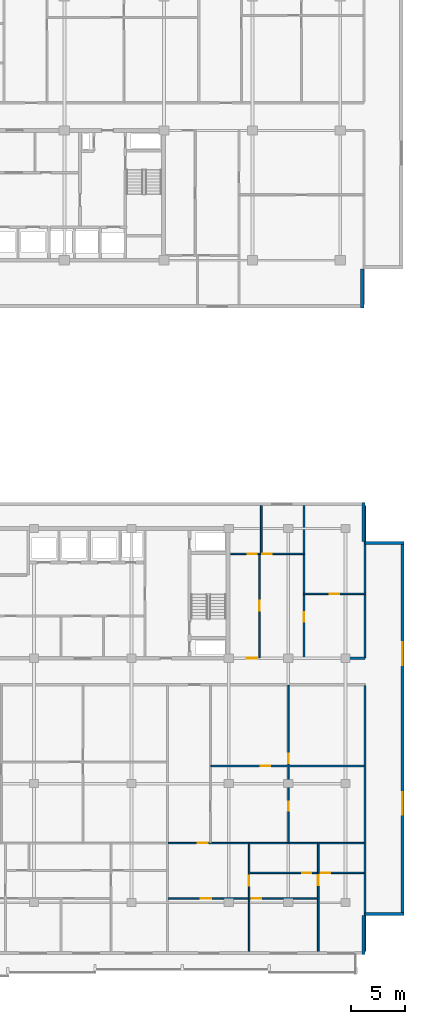
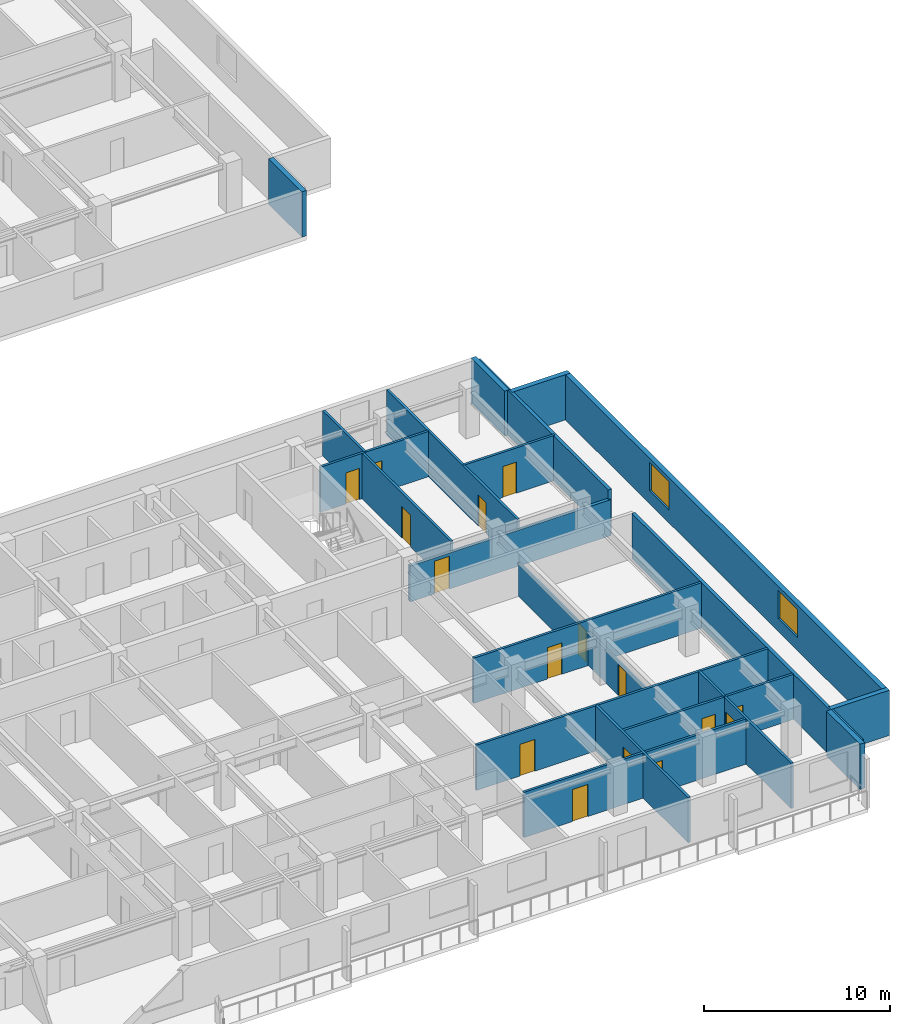
# One storey, part 9 of 21: 22 walls, 16 doors, 2 windows, 18 openings.
"""IFC4 building model written with IfcOpenShell, lengths in metres."""

from ifc_helpers import new_model, si_unit, direction, frame, frame_2d, origin, place, context, subcontext, project, spatial, rectangle, extrude, material, layer, layer_set, type_object, element, fill, save


model = new_model("IFC4")

# Units and contexts
model_context = context("Model", 3, precision=1e-05, world=origin(), true_north=direction((0.0, 1.0)))
body_context = subcontext(model_context, "Body", "Model", "MODEL_VIEW")
ifc_project = project(units=[si_unit("LENGTHUNIT", "METRE"), si_unit("AREAUNIT", "SQUARE_METRE"), si_unit("VOLUMEUNIT", "CUBIC_METRE"), si_unit("PLANEANGLEUNIT", "RADIAN"), si_unit("MASSUNIT", "GRAM", prefix="KILO")], contexts=[model_context])

# Site, building, storey
site_placement = place(None, origin())
site = spatial("IfcSite", under=ifc_project, at=site_placement, CompositionType="ELEMENT")
building_placement = place(site_placement, origin())
building = spatial("IfcBuilding", under=site, at=building_placement, Name="Korimba Cascade Residences", CompositionType="ELEMENT")
storey_placement = place(building_placement, frame((0.0, 0.0, 123.050048828125)))
storey = spatial("IfcBuildingStorey", under=building, at=storey_placement, Name="L35", CompositionType="ELEMENT", Elevation=123.050048828125)

# Walls
ifc_material_1 = material(Name="Precast concrete C40/50", Category="concrete")
ifc_layer_1 = layer(ifc_material_1, 0.300048828125)
ifc_layer_set_1 = layer_set([ifc_layer_1], Name="Precast concrete C40/50")
wall_type_1 = type_object("IfcWallType", Name="EW-STONE-300", PredefinedType="STANDARD", material=ifc_layer_set_1)
wall_1_placement = place(storey_placement, frame((130.449951171875, 50.800048828125, 0.0), z_axis=(0.0, 0.0, 1.0), x_axis=(0.0, 1.0, 0.0)))
element("IfcWall", 1, at=wall_1_placement, inside=storey, type_object=wall_type_1, Name="L35 T1 Perimeter Stone Wall E01", PredefinedType="STANDARD", context=body_context, shape_type="SweptSolid", body=[
    extrude(rectangle(XDim=3.599853515625, YDim=0.300048828125, at=frame_2d((1.7998046875, 0.0))), origin(), (0.0, 0.0, 1.0), 2.969970703125),
])
for number, where, z_axis, x_axis, name in (
    (2, (130.550048828125, -9.0, 0.0), (0.0, 0.0, 1.0), (0.0, 1.0, 0.0), "L35 T2 Perimeter Stone Wall E01"),
    (3, (130.699951171875, -5.25, 0.0), (0.0, 0.0, 1.0), (1.0, 0.0, 0.0), "L35 T2 Perimeter Stone Wall E02"),
):
    element("IfcWall", number, at=place(storey_placement, frame(where, z_axis=z_axis, x_axis=x_axis)), inside=storey, type_object=wall_type_1, Name=name, PredefinedType="STANDARD", context=body_context, shape_type="SweptSolid", body=[
        extrude(rectangle(XDim=3.60009765625, YDim=0.300048828125, at=frame_2d((1.800048828125, 0.0))), origin(), (0.0, 0.0, 1.0), 2.969970703125),
    ])

# Wall, openings, windows
wall_2_placement = place(storey_placement, frame((134.14990234375, -5.39990234375, 0.0), z_axis=(0.0, 0.0, 1.0), x_axis=(0.0, 1.0, 0.0)))
wall_2 = element("IfcWall", 4, at=wall_2_placement, inside=storey, type_object=wall_type_1, Name="L35 T2 Perimeter Stone Wall E03", PredefinedType="STANDARD", context=body_context, shape_type="SweptSolid", body=[
    extrude(rectangle(XDim=34.599853515625, YDim=0.300048828125, at=frame_2d((17.2998046875, 0.0))), origin(), (0.0, 0.0, 1.0), 2.969970703125),
])
opening_1_placement = place(wall_2_placement, frame((9.330078125, 0.0, 0.85009765625)))
opening_1 = element("IfcOpeningElement", 5, at=opening_1_placement, cuts=wall_2, Name="Opening W-03", PredefinedType="OPENING", context=body_context, shape_type="SweptSolid", body=[
    extrude(rectangle(XDim=2.10009765625, YDim=1.85009765625, at=frame_2d((1.050048828125, 0.925048828125))), frame((0.0, 0.16015625, 0.0), z_axis=(0.0, -1.0, 0.0), x_axis=(1.0, 0.0, 0.0)), (0.0, 0.0, 1.0), 0.320068359375),
])
opening_2_placement = place(wall_2_placement, frame((23.169921875, 0.0, 0.85009765625)))
opening_2 = element("IfcOpeningElement", 6, at=opening_2_placement, cuts=wall_2, Name="Opening W-03", PredefinedType="OPENING", context=body_context, shape_type="SweptSolid", body=[
    extrude(rectangle(XDim=2.10009765625, YDim=1.85009765625, at=frame_2d((1.050048828125, 0.925048828125))), frame((0.0, 0.16015625, 0.0), z_axis=(0.0, -1.0, 0.0), x_axis=(1.0, 0.0, 0.0)), (0.0, 0.0, 1.0), 0.320068359375),
])
ifc_material_2 = material(Name="Double-Glazed Aluminium Window", Category="aluminium")
window_type = type_object("IfcWindowType", Name="WIN-CRN-2100", PartitioningType="DOUBLE_PANEL_HORIZONTAL", PredefinedType="WINDOW", material=ifc_material_2)
window_1_placement = place(opening_1_placement, origin())
window_1 = element("IfcWindow", 7, at=window_1_placement, inside=storey, type_object=window_type, Name="L35 T2 End View Window 3.1", OverallHeight=1.85009765625, OverallWidth=2.10009765625, PartitioningType="DOUBLE_PANEL_HORIZONTAL", PredefinedType="WINDOW", context=body_context, shape_type="SweptSolid", body=[
    extrude(rectangle(XDim=2.10009765625, YDim=1.85009765625, at=frame_2d((1.050048828125, 0.925048828125))), frame((0.0, 0.030029296875, 0.0), z_axis=(0.0, -1.0, 0.0), x_axis=(1.0, 0.0, 0.0)), (0.0, 0.0, 1.0), 0.06005859375),
])
fill(opening_1, window_1)
window_2_placement = place(opening_2_placement, origin())
window_2 = element("IfcWindow", 8, at=window_2_placement, inside=storey, type_object=window_type, Name="L35 T2 End View Window 3.2", OverallHeight=1.85009765625, OverallWidth=2.10009765625, PartitioningType="DOUBLE_PANEL_HORIZONTAL", PredefinedType="WINDOW", context=body_context, shape_type="SweptSolid", body=[
    extrude(rectangle(XDim=2.10009765625, YDim=1.85009765625, at=frame_2d((1.050048828125, 0.925048828125))), frame((0.0, 0.030029296875, 0.0), z_axis=(0.0, -1.0, 0.0), x_axis=(1.0, 0.0, 0.0)), (0.0, 0.0, 1.0), 0.06005859375),
])
fill(opening_2, window_2)

# Walls
for number, where, z_axis, x_axis, name in (
    (9, (134.300048828125, 29.050048828125, 0.0), (0.0, 0.0, 1.0), (-1.0, 0.0, 0.0), "L35 T2 Perimeter Stone Wall E04"),
    (10, (130.550048828125, 29.199951171875, 0.0), (0.0, 0.0, 1.0), (0.0, 1.0, 0.0), "L35 T2 Perimeter Stone Wall E05"),
):
    element("IfcWall", number, at=place(storey_placement, frame(where, z_axis=z_axis, x_axis=x_axis)), inside=storey, type_object=wall_type_1, Name=name, PredefinedType="STANDARD", context=body_context, shape_type="SweptSolid", body=[
        extrude(rectangle(XDim=3.60009765625, YDim=0.300048828125, at=frame_2d((1.800048828125, 0.0))), origin(), (0.0, 0.0, 1.0), 2.969970703125),
    ])
ifc_layer_2 = layer(ifc_material_1, 0.199951171875)
ifc_layer_set_2 = layer_set([ifc_layer_2], Name="Precast concrete C40/50")
wall_type_2 = type_object("IfcWallType", Name="WAL-IT-200", PredefinedType="PARTITIONING", material=ifc_layer_set_2)
wall_3_placement = place(storey_placement, frame((130.699951171875, 18.39990234375, 0.0), z_axis=(0.0, 0.0, 1.0), x_axis=(0.0, 1.0, 0.0)))
element("IfcWall", 11, at=wall_3_placement, inside=storey, type_object=wall_type_2, Name="L35 Partition Wall WAL-L35-T2-FE-WR", PredefinedType="PARTITIONING", context=body_context, shape_type="SweptSolid", body=[
    extrude(rectangle(XDim=14.10009765625, YDim=0.199951171875, at=frame_2d((7.050048828125, 0.0))), origin(), (0.0, 0.0, 1.0), 2.969970703125),
])

# Wall, opening, door
wall_4_placement = place(storey_placement, frame((118.25, 18.39990234375, 0.0), z_axis=(0.0, 0.0, 1.0), x_axis=(1.0, 0.0, 0.0)))
wall_4 = element("IfcWall", 12, at=wall_4_placement, inside=storey, type_object=wall_type_2, Name="L35 Partition Wall WAL-L35-T2-FE-S", PredefinedType="PARTITIONING", context=body_context, shape_type="SweptSolid", body=[
    extrude(rectangle(XDim=12.449951171875, YDim=0.199951171875, at=frame_2d((6.22509765625, 0.0))), origin(), (0.0, 0.0, 1.0), 2.357666015625),
])
opening_3_placement = place(wall_4_placement, frame((1.510009765625, 0.0, 0.0)))
opening_3 = element("IfcOpeningElement", 13, at=opening_3_placement, cuts=wall_4, Name="Opening D-UN1", PredefinedType="OPENING", context=body_context, shape_type="SweptSolid", body=[
    extrude(rectangle(XDim=0.949951171875, YDim=2.14990234375, at=frame_2d((0.47509765625, 1.074951171875))), frame((0.0, 0.10986328125, 0.0), z_axis=(0.0, -1.0, 0.0), x_axis=(1.0, 0.0, 0.0)), (0.0, 0.0, 1.0), 0.219970703125),
])
ifc_material_3 = material(Name="Fire-Rated Hardwood Apartment Entrance Door", Category="wood")
door_type_1 = type_object("IfcDoorType", Name="DR-FD60-950", OperationType="NOTDEFINED", PredefinedType="DOOR", material=ifc_material_3)
door_1_placement = place(opening_3_placement, origin())
door_1 = element("IfcDoor", 14, at=door_1_placement, inside=storey, type_object=door_type_1, Name="L35-T2-FE Entrance Door", OperationType="SINGLE_SWING_RIGHT", OverallHeight=2.14990234375, OverallWidth=0.949951171875, PredefinedType="DOOR", context=body_context, shape_type="SweptSolid", body=[
    extrude(rectangle(XDim=0.949951171875, YDim=2.14990234375, at=frame_2d((0.47509765625, 1.074951171875))), frame((0.0, 0.02490234375, 0.0), z_axis=(0.0, -1.0, 0.0), x_axis=(1.0, 0.0, 0.0)), (0.0, 0.0, 1.0), 0.050048828125),
])
fill(opening_3, door_1)

# Wall
wall_5_placement = place(storey_placement, frame((130.699951171875, -8.699951171875, 0.0), z_axis=(0.0, 0.0, 1.0), x_axis=(0.0, 1.0, 0.0)))
element("IfcWall", 15, at=wall_5_placement, inside=storey, type_object=wall_type_2, Name="L35 Partition Wall WAL-L35-T2-BNDWR", PredefinedType="PARTITIONING", context=body_context, shape_type="SweptSolid", body=[
    extrude(rectangle(XDim=24.570068359375, YDim=0.199951171875, at=frame_2d((12.28515625, 0.0))), origin(), (0.0, 0.0, 1.0), 2.969970703125),
])

# Wall, opening, door
ifc_material_4 = material(Name="Insulated Acoustic Stud Partition", Category="gypsum")
ifc_layer_3 = layer(ifc_material_4, 0.14990234375)
ifc_layer_set_3 = layer_set([ifc_layer_3], Name="Insulated Acoustic Stud Partition")
wall_type_3 = type_object("IfcWallType", Name="WAL-PART-150", PredefinedType="PARTITIONING", material=ifc_layer_set_3)
wall_6_placement = place(storey_placement, frame((125.050048828125, 24.35009765625, 0.0), z_axis=(0.0, 0.0, 1.0), x_axis=(1.0, 0.0, 0.0)))
wall_6 = element("IfcWall", 16, at=wall_6_placement, inside=storey, type_object=wall_type_3, Name="L35 Partition Wall WAL-L35-T2-FE-STH", PredefinedType="PARTITIONING", context=body_context, shape_type="SweptSolid", body=[
    extrude(rectangle(XDim=5.64990234375, YDim=0.14990234375, at=frame_2d((2.824951171875, 0.0))), origin(), (0.0, 0.0, 1.0), 2.969970703125),
])
opening_4_placement = place(wall_6_placement, frame((2.405029296875, 0.0, 0.0)))
opening_4 = element("IfcOpeningElement", 17, at=opening_4_placement, cuts=wall_6, Name="Opening D-BT1", PredefinedType="OPENING", context=body_context, shape_type="SweptSolid", body=[
    extrude(rectangle(XDim=0.840087890625, YDim=2.0400390625, at=frame_2d((0.419921875, 1.02001953125))), frame((0.0, 0.0849609375, 0.0), z_axis=(0.0, -1.0, 0.0), x_axis=(1.0, 0.0, 0.0)), (0.0, 0.0, 1.0), 0.169921875),
])
ifc_material_5 = material(Name="Moisture-Resistant Bathroom Timber Door", Category="wood")
door_type_2 = type_object("IfcDoorType", Name="DR-INT-850", OperationType="NOTDEFINED", PredefinedType="DOOR", material=ifc_material_5)
door_2_placement = place(opening_4_placement, origin())
door_2 = element("IfcDoor", 18, at=door_2_placement, inside=storey, type_object=door_type_2, Name="L35-T2-FE Dressing Store Door", OperationType="SINGLE_SWING_LEFT", OverallHeight=2.0400390625, OverallWidth=0.840087890625, PredefinedType="DOOR", context=body_context, shape_type="SweptSolid", body=[
    extrude(rectangle(XDim=0.840087890625, YDim=2.0400390625, at=frame_2d((0.419921875, 1.02001953125))), frame((0.0, 0.02490234375, 0.0), z_axis=(0.0, -1.0, 0.0), x_axis=(1.0, 0.0, 0.0)), (0.0, 0.0, 1.0), 0.050048828125),
])
fill(opening_4, door_2)

wall_7_placement = place(storey_placement, frame((125.050048828125, 18.449951171875, 0.0), z_axis=(0.0, 0.0, 1.0), x_axis=(0.0, 1.0, 0.0)))
wall_7 = element("IfcWall", 19, at=wall_7_placement, inside=storey, type_object=wall_type_3, Name="L35 Partition Wall WAL-L35-T2-FE-STV", PredefinedType="PARTITIONING", context=body_context, shape_type="SweptSolid", body=[
    extrude(rectangle(XDim=14.050048828125, YDim=0.14990234375, at=frame_2d((7.02490234375, 0.0))), origin(), (0.0, 0.0, 1.0), 2.969970703125),
])
opening_5_placement = place(wall_7_placement, frame((3.320068359375, 0.0, 0.0)))
opening_5 = element("IfcOpeningElement", 20, at=opening_5_placement, cuts=wall_7, Name="Opening D-IN2", PredefinedType="OPENING", context=body_context, shape_type="SweptSolid", body=[
    extrude(rectangle(XDim=0.8798828125, YDim=2.06005859375, at=frame_2d((0.43994140625, 1.030029296875))), frame((0.0, 0.0849609375, 0.0), z_axis=(0.0, -1.0, 0.0), x_axis=(1.0, 0.0, 0.0)), (0.0, 0.0, 1.0), 0.169921875),
])
ifc_material_6 = material(Name="Acoustic Timber Bedroom Door", Category="wood")
door_type_3 = type_object("IfcDoorType", Name="DR-INT-880", OperationType="NOTDEFINED", PredefinedType="DOOR", material=ifc_material_6)
door_3_placement = place(opening_5_placement, origin())
door_3 = element("IfcDoor", 21, at=door_3_placement, inside=storey, type_object=door_type_3, Name="L35-T2-FE Study Door", OperationType="SINGLE_SWING_RIGHT", OverallHeight=2.06005859375, OverallWidth=0.8798828125, PredefinedType="DOOR", context=body_context, shape_type="SweptSolid", body=[
    extrude(rectangle(XDim=0.8798828125, YDim=2.06005859375, at=frame_2d((0.43994140625, 1.030029296875))), frame((0.0, 0.02490234375, 0.0), z_axis=(0.0, -1.0, 0.0), x_axis=(1.0, 0.0, 0.0)), (0.0, 0.0, 1.0), 0.050048828125),
])
fill(opening_5, door_3)

wall_8_placement = place(storey_placement, frame((120.929931640625, 18.449951171875, 0.0), z_axis=(0.0, 0.0, 1.0), x_axis=(0.0, 1.0, 0.0)))
wall_8 = element("IfcWall", 22, at=wall_8_placement, inside=storey, type_object=wall_type_3, Name="L35 Partition Wall WAL-L35-T2-FE-VS", PredefinedType="PARTITIONING", context=body_context, shape_type="SweptSolid", body=[
    extrude(rectangle(XDim=9.60009765625, YDim=0.14990234375, at=frame_2d((4.800048828125, 0.0))), origin(), (0.0, 0.0, 1.0), 2.969970703125),
])
opening_6_placement = place(wall_8_placement, frame((4.340087890625, 0.0, 0.0)))
opening_6 = element("IfcOpeningElement", 23, at=opening_6_placement, cuts=wall_8, Name="Opening D-IN1", PredefinedType="OPENING", context=body_context, shape_type="SweptSolid", body=[
    extrude(rectangle(XDim=0.919921875, YDim=2.080078125, at=frame_2d((0.4599609375, 1.0400390625))), frame((0.0, 0.0849609375, 0.0), z_axis=(0.0, -1.0, 0.0), x_axis=(1.0, 0.0, 0.0)), (0.0, 0.0, 1.0), 0.169921875),
])
ifc_material_7 = material(Name="Acoustic Timber Living Door", Category="wood")
door_type_4 = type_object("IfcDoorType", Name="DR-INT-920", OperationType="NOTDEFINED", PredefinedType="DOOR", material=ifc_material_7)
door_4_placement = place(opening_6_placement, origin())
door_4 = element("IfcDoor", 24, at=door_4_placement, inside=storey, type_object=door_type_4, Name="L35-T2-FE Living Door", OperationType="SINGLE_SWING_LEFT", OverallHeight=2.080078125, OverallWidth=0.919921875, PredefinedType="DOOR", context=body_context, shape_type="SweptSolid", body=[
    extrude(rectangle(XDim=0.919921875, YDim=2.080078125, at=frame_2d((0.4599609375, 1.0400390625))), frame((0.0, 0.02490234375, 0.0), z_axis=(0.0, -1.0, 0.0), x_axis=(1.0, 0.0, 0.0)), (0.0, 0.0, 1.0), 0.050048828125),
])
fill(opening_6, door_4)

# Wall
wall_9_placement = place(storey_placement, frame((121.10009765625, 28.050048828125, 0.0), z_axis=(0.0, 0.0, 1.0), x_axis=(0.0, 1.0, 0.0)))
element("IfcWall", 25, at=wall_9_placement, inside=storey, type_object=wall_type_3, Name="L35 Partition Wall WAL-L35-T2-FE-VN", PredefinedType="PARTITIONING", context=body_context, shape_type="SweptSolid", body=[
    extrude(rectangle(XDim=4.449951171875, YDim=0.14990234375, at=frame_2d((2.22509765625, 0.0))), origin(), (0.0, 0.0, 1.0), 2.969970703125),
])

# Wall, openings, doors
wall_10_placement = place(storey_placement, frame((118.27001953125, 28.050048828125, 0.0), z_axis=(0.0, 0.0, 1.0), x_axis=(1.0, 0.0, 0.0)))
wall_10 = element("IfcWall", 26, at=wall_10_placement, inside=storey, type_object=wall_type_3, Name="L35 Partition Wall WAL-L35-T2-FE-H", PredefinedType="PARTITIONING", context=body_context, shape_type="SweptSolid", body=[
    extrude(rectangle(XDim=6.760009765625, YDim=0.14990234375, at=frame_2d((3.3798828125, 0.0))), origin(), (0.0, 0.0, 1.0), 2.969970703125),
])
opening_7_placement = place(wall_10_placement, frame((1.58740234375, 0.0, 0.0)))
opening_7 = element("IfcOpeningElement", 27, at=opening_7_placement, cuts=wall_10, Name="Opening D-BT1", PredefinedType="OPENING", context=body_context, shape_type="SweptSolid", body=[
    extrude(rectangle(XDim=0.840087890625, YDim=2.0400390625, at=frame_2d((0.419921875, 1.02001953125))), frame((0.0, 0.0849609375, 0.0), z_axis=(0.0, -1.0, 0.0), x_axis=(1.0, 0.0, 0.0)), (0.0, 0.0, 1.0), 0.169921875),
])
opening_8_placement = place(wall_10_placement, frame((2.93994140625, 0.0, 0.0)))
opening_8 = element("IfcOpeningElement", 28, at=opening_8_placement, cuts=wall_10, Name="Opening D-IN2", PredefinedType="OPENING", context=body_context, shape_type="SweptSolid", body=[
    extrude(rectangle(XDim=0.8798828125, YDim=2.06005859375, at=frame_2d((0.43994140625, 1.030029296875))), frame((0.0, 0.0849609375, 0.0), z_axis=(0.0, -1.0, 0.0), x_axis=(1.0, 0.0, 0.0)), (0.0, 0.0, 1.0), 0.169921875),
])
door_5_placement = place(opening_7_placement, origin())
door_5 = element("IfcDoor", 29, at=door_5_placement, inside=storey, type_object=door_type_2, Name="L35-T2-FE Bathroom Door", OperationType="SINGLE_SWING_RIGHT", OverallHeight=2.0400390625, OverallWidth=0.840087890625, PredefinedType="DOOR", context=body_context, shape_type="SweptSolid", body=[
    extrude(rectangle(XDim=0.840087890625, YDim=2.0400390625, at=frame_2d((0.419921875, 1.02001953125))), frame((0.0, 0.02490234375, 0.0), z_axis=(0.0, -1.0, 0.0), x_axis=(1.0, 0.0, 0.0)), (0.0, 0.0, 1.0), 0.050048828125),
])
fill(opening_7, door_5)
door_6_placement = place(opening_8_placement, origin())
door_6 = element("IfcDoor", 30, at=door_6_placement, inside=storey, type_object=door_type_3, Name="L35-T2-FE Bedroom Door", OperationType="SINGLE_SWING_LEFT", OverallHeight=2.06005859375, OverallWidth=0.8798828125, PredefinedType="DOOR", context=body_context, shape_type="SweptSolid", body=[
    extrude(rectangle(XDim=0.8798828125, YDim=2.06005859375, at=frame_2d((0.43994140625, 1.030029296875))), frame((0.0, 0.02490234375, 0.0), z_axis=(0.0, -1.0, 0.0), x_axis=(1.0, 0.0, 0.0)), (0.0, 0.0, 1.0), 0.050048828125),
])
fill(opening_8, door_6)

wall_11_placement = place(storey_placement, frame((123.636474609375, 1.340087890625, 0.0), z_axis=(0.0, 0.0, 1.0), x_axis=(0.0, 1.0, 0.0)))
wall_11 = element("IfcWall", 31, at=wall_11_placement, inside=storey, type_object=wall_type_3, Name="L35 Partition Wall WAL-L35-T2-U03-FMV", PredefinedType="PARTITIONING", context=body_context, shape_type="SweptSolid", body=[
    extrude(rectangle(XDim=14.5498046875, YDim=0.14990234375, at=frame_2d((7.27490234375, 0.0))), origin(), (0.0, 0.0, 1.0), 2.2001953125),
])
opening_9_placement = place(wall_11_placement, frame((2.951416015625, 0.0, 0.0)))
opening_9 = element("IfcOpeningElement", 32, at=opening_9_placement, cuts=wall_11, Name="Opening D-BT1", PredefinedType="OPENING", context=body_context, shape_type="SweptSolid", body=[
    extrude(rectangle(XDim=0.840087890625, YDim=2.0400390625, at=frame_2d((0.419921875, 1.02001953125))), frame((0.0, 0.0849609375, 0.0), z_axis=(0.0, -1.0, 0.0), x_axis=(1.0, 0.0, 0.0)), (0.0, 0.0, 1.0), 0.169921875),
])
opening_10_placement = place(wall_11_placement, frame((7.344970703125, 0.0, 0.0)))
opening_10 = element("IfcOpeningElement", 33, at=opening_10_placement, cuts=wall_11, Name="Opening D-IN2", PredefinedType="OPENING", context=body_context, shape_type="SweptSolid", body=[
    extrude(rectangle(XDim=0.8798828125, YDim=2.06005859375, at=frame_2d((0.43994140625, 1.030029296875))), frame((0.0, 0.0849609375, 0.0), z_axis=(0.0, -1.0, 0.0), x_axis=(1.0, 0.0, 0.0)), (0.0, 0.0, 1.0), 0.169921875),
])
door_7_placement = place(opening_9_placement, origin())
door_7 = element("IfcDoor", 34, at=door_7_placement, inside=storey, type_object=door_type_2, Name="L35-T2-U03 Wardrobe Door", OperationType="SINGLE_SWING_RIGHT", OverallHeight=2.0400390625, OverallWidth=0.840087890625, PredefinedType="DOOR", context=body_context, shape_type="SweptSolid", body=[
    extrude(rectangle(XDim=0.840087890625, YDim=2.0400390625, at=frame_2d((0.419921875, 1.02001953125))), frame((0.0, 0.02490234375, 0.0), z_axis=(0.0, -1.0, 0.0), x_axis=(1.0, 0.0, 0.0)), (0.0, 0.0, 1.0), 0.050048828125),
])
fill(opening_9, door_7)
door_8_placement = place(opening_10_placement, origin())
door_8 = element("IfcDoor", 35, at=door_8_placement, inside=storey, type_object=door_type_3, Name="L35-T2-U03 Music Lounge Door", OperationType="SINGLE_SWING_LEFT", OverallHeight=2.06005859375, OverallWidth=0.8798828125, PredefinedType="DOOR", context=body_context, shape_type="SweptSolid", body=[
    extrude(rectangle(XDim=0.8798828125, YDim=2.06005859375, at=frame_2d((0.43994140625, 1.030029296875))), frame((0.0, 0.02490234375, 0.0), z_axis=(0.0, -1.0, 0.0), x_axis=(1.0, 0.0, 0.0)), (0.0, 0.0, 1.0), 0.050048828125),
])
fill(opening_10, door_8)

# Wall, opening, door
wall_12_placement = place(storey_placement, frame((116.45263671875, 8.43505859375, 0.0), z_axis=(0.0, 0.0, 1.0), x_axis=(1.0, 0.0, 0.0)))
wall_12 = element("IfcWall", 36, at=wall_12_placement, inside=storey, type_object=wall_type_3, Name="L35 Partition Wall WAL-L35-T2-U03-FMH", PredefinedType="PARTITIONING", context=body_context, shape_type="SweptSolid", body=[
    extrude(rectangle(XDim=14.16748046875, YDim=0.14990234375, at=frame_2d((7.083740234375, 0.0))), origin(), (0.0, 0.0, 1.0), 2.969970703125),
])
opening_11_placement = place(wall_12_placement, frame((4.593017578125, 0.0, 0.0)))
opening_11 = element("IfcOpeningElement", 37, at=opening_11_placement, cuts=wall_12, Name="Opening D-IN2", PredefinedType="OPENING", context=body_context, shape_type="SweptSolid", body=[
    extrude(rectangle(XDim=0.8798828125, YDim=2.06005859375, at=frame_2d((0.43994140625, 1.030029296875))), frame((0.0, 0.0849609375, 0.0), z_axis=(0.0, -1.0, 0.0), x_axis=(1.0, 0.0, 0.0)), (0.0, 0.0, 1.0), 0.169921875),
])
door_9_placement = place(opening_11_placement, origin())
door_9 = element("IfcDoor", 38, at=door_9_placement, inside=storey, type_object=door_type_3, Name="L35-T2-U03 Library Salon Door", OperationType="SINGLE_SWING_RIGHT", OverallHeight=2.06005859375, OverallWidth=0.8798828125, PredefinedType="DOOR", context=body_context, shape_type="SweptSolid", body=[
    extrude(rectangle(XDim=0.8798828125, YDim=2.06005859375, at=frame_2d((0.43994140625, 1.030029296875))), frame((0.0, 0.02490234375, 0.0), z_axis=(0.0, -1.0, 0.0), x_axis=(1.0, 0.0, 0.0)), (0.0, 0.0, 1.0), 0.050048828125),
])
fill(opening_11, door_9)

wall_13_placement = place(storey_placement, frame((119.97998046875, -8.699951171875, 0.0), z_axis=(0.0, 0.0, 1.0), x_axis=(0.0, 1.0, 0.0)))
wall_13 = element("IfcWall", 39, at=wall_13_placement, inside=storey, type_object=wall_type_3, Name="L35 Partition Wall WAL-L35-T2-U03-V1", PredefinedType="PARTITIONING", context=body_context, shape_type="SweptSolid", body=[
    extrude(rectangle(XDim=9.9599609375, YDim=0.14990234375, at=frame_2d((4.97998046875, 0.0))), origin(), (0.0, 0.0, 1.0), 2.969970703125),
])
opening_12_placement = place(wall_13_placement, frame((6.050048828125, 0.0, 0.0)))
opening_12 = element("IfcOpeningElement", 40, at=opening_12_placement, cuts=wall_13, Name="Opening D-IN1", PredefinedType="OPENING", context=body_context, shape_type="SweptSolid", body=[
    extrude(rectangle(XDim=0.919921875, YDim=2.080078125, at=frame_2d((0.4599609375, 1.0400390625))), frame((0.0, 0.0849609375, 0.0), z_axis=(0.0, -1.0, 0.0), x_axis=(1.0, 0.0, 0.0)), (0.0, 0.0, 1.0), 0.169921875),
])
door_10_placement = place(opening_12_placement, origin())
door_10 = element("IfcDoor", 41, at=door_10_placement, inside=storey, type_object=door_type_4, Name="L35-T2-U03 Hallway Door", OperationType="SINGLE_SWING_RIGHT", OverallHeight=2.080078125, OverallWidth=0.919921875, PredefinedType="DOOR", context=body_context, shape_type="SweptSolid", body=[
    extrude(rectangle(XDim=0.919921875, YDim=2.080078125, at=frame_2d((0.4599609375, 1.0400390625))), frame((0.0, 0.02490234375, 0.0), z_axis=(0.0, -1.0, 0.0), x_axis=(1.0, 0.0, 0.0)), (0.0, 0.0, 1.0), 0.050048828125),
])
fill(opening_12, door_10)

# Wall
wall_14_placement = place(storey_placement, frame((126.3701171875, -1.429931640625, 0.0), z_axis=(0.0, 0.0, 1.0), x_axis=(0.0, 1.0, 0.0)))
element("IfcWall", 42, at=wall_14_placement, inside=storey, type_object=wall_type_3, Name="L35 Partition Wall WAL-L35-T2-U03-VBATH", PredefinedType="PARTITIONING", context=body_context, shape_type="SweptSolid", body=[
    extrude(rectangle(XDim=2.68994140625, YDim=0.14990234375, at=frame_2d((1.344970703125, 0.0))), origin(), (0.0, 0.0, 1.0), 2.969970703125),
])

# Wall, opening, door
wall_15_placement = place(storey_placement, frame((126.3701171875, -8.699951171875, 0.0), z_axis=(0.0, 0.0, 1.0), x_axis=(0.0, 1.0, 0.0)))
wall_15 = element("IfcWall", 43, at=wall_15_placement, inside=storey, type_object=wall_type_3, Name="L35 Partition Wall WAL-L35-T2-U03-V2FULL", PredefinedType="PARTITIONING", context=body_context, shape_type="SweptSolid", body=[
    extrude(rectangle(XDim=7.22998046875, YDim=0.14990234375, at=frame_2d((3.614990234375, 0.0))), origin(), (0.0, 0.0, 1.0), 2.969970703125),
])
opening_13_placement = place(wall_15_placement, frame((6.110107421875, 0.0, 0.0)))
opening_13 = element("IfcOpeningElement", 44, at=opening_13_placement, cuts=wall_15, Name="Opening D-IN1", PredefinedType="OPENING", context=body_context, shape_type="SweptSolid", body=[
    extrude(rectangle(XDim=0.919921875, YDim=2.080078125, at=frame_2d((0.4599609375, 1.0400390625))), frame((0.0, 0.0849609375, 0.0), z_axis=(0.0, -1.0, 0.0), x_axis=(1.0, 0.0, 0.0)), (0.0, 0.0, 1.0), 0.169921875),
])
door_11_placement = place(opening_13_placement, origin())
door_11 = element("IfcDoor", 45, at=door_11_placement, inside=storey, type_object=door_type_4, Name="L35-T2-U03 Master Bedroom Door", OperationType="SINGLE_SWING_LEFT", OverallHeight=2.080078125, OverallWidth=0.919921875, PredefinedType="DOOR", context=body_context, shape_type="SweptSolid", body=[
    extrude(rectangle(XDim=0.919921875, YDim=2.080078125, at=frame_2d((0.4599609375, 1.0400390625))), frame((0.0, 0.02490234375, 0.0), z_axis=(0.0, -1.0, 0.0), x_axis=(1.0, 0.0, 0.0)), (0.0, 0.0, 1.0), 0.050048828125),
])
fill(opening_13, door_11)

# Wall, openings, doors
wall_16_placement = place(storey_placement, frame((120.02001953125, -1.449951171875, 0.0), z_axis=(0.0, 0.0, 1.0), x_axis=(1.0, 0.0, 0.0)))
wall_16 = element("IfcWall", 46, at=wall_16_placement, inside=storey, type_object=wall_type_3, Name="L35 Partition Wall WAL-L35-T2-U03-HWALL", PredefinedType="PARTITIONING", context=body_context, shape_type="SweptSolid", body=[
    extrude(rectangle(XDim=10.60009765625, YDim=0.14990234375, at=frame_2d((5.300048828125, 0.0))), origin(), (0.0, 0.0, 1.0), 2.969970703125),
])
opening_14_placement = place(wall_16_placement, frame((4.8798828125, 0.0, 0.0)))
opening_14 = element("IfcOpeningElement", 47, at=opening_14_placement, cuts=wall_16, Name="Opening D-BT1", PredefinedType="OPENING", context=body_context, shape_type="SweptSolid", body=[
    extrude(rectangle(XDim=0.840087890625, YDim=2.0400390625, at=frame_2d((0.419921875, 1.02001953125))), frame((0.0, 0.0849609375, 0.0), z_axis=(0.0, -1.0, 0.0), x_axis=(1.0, 0.0, 0.0)), (0.0, 0.0, 1.0), 0.169921875),
])
opening_15_placement = place(wall_16_placement, frame((6.60009765625, 0.0, 0.0)))
opening_15 = element("IfcOpeningElement", 48, at=opening_15_placement, cuts=wall_16, Name="Opening D-BT1", PredefinedType="OPENING", context=body_context, shape_type="SweptSolid", body=[
    extrude(rectangle(XDim=0.840087890625, YDim=2.0400390625, at=frame_2d((0.419921875, 1.02001953125))), frame((0.0, 0.0849609375, 0.0), z_axis=(0.0, -1.0, 0.0), x_axis=(1.0, 0.0, 0.0)), (0.0, 0.0, 1.0), 0.169921875),
])
door_12_placement = place(opening_14_placement, origin())
door_12 = element("IfcDoor", 49, at=door_12_placement, inside=storey, type_object=door_type_2, Name="L35-T2-U03 Family Bathroom Door", OperationType="SINGLE_SWING_RIGHT", OverallHeight=2.0400390625, OverallWidth=0.840087890625, PredefinedType="DOOR", context=body_context, shape_type="SweptSolid", body=[
    extrude(rectangle(XDim=0.840087890625, YDim=2.0400390625, at=frame_2d((0.419921875, 1.02001953125))), frame((0.0, 0.02490234375, 0.0), z_axis=(0.0, -1.0, 0.0), x_axis=(1.0, 0.0, 0.0)), (0.0, 0.0, 1.0), 0.050048828125),
])
fill(opening_14, door_12)
door_13_placement = place(opening_15_placement, origin())
door_13 = element("IfcDoor", 50, at=door_13_placement, inside=storey, type_object=door_type_2, Name="L35-T2-U03 En-Suite Door", OperationType="SINGLE_SWING_LEFT", OverallHeight=2.0400390625, OverallWidth=0.840087890625, PredefinedType="DOOR", context=body_context, shape_type="SweptSolid", body=[
    extrude(rectangle(XDim=0.840087890625, YDim=2.0400390625, at=frame_2d((0.419921875, 1.02001953125))), frame((0.0, 0.02490234375, 0.0), z_axis=(0.0, -1.0, 0.0), x_axis=(1.0, 0.0, 0.0)), (0.0, 0.0, 1.0), 0.050048828125),
])
fill(opening_15, door_13)

# Wall, opening, door
wall_17_placement = place(storey_placement, frame((112.502685546875, 1.300048828125, 0.0), z_axis=(0.0, 0.0, 1.0), x_axis=(1.0, 0.0, 0.0)))
wall_17 = element("IfcWall", 51, at=wall_17_placement, inside=storey, type_object=wall_type_3, Name="L35 Partition Wall WAL-L35-T2-U03-MW", PredefinedType="PARTITIONING", context=body_context, shape_type="SweptSolid", body=[
    extrude(rectangle(XDim=18.117431640625, YDim=0.14990234375, at=frame_2d((9.05859375, 0.0))), origin(), (0.0, 0.0, 1.0), 2.969970703125),
])
opening_16_placement = place(wall_17_placement, frame((2.719970703125, 0.0, 0.0)))
opening_16 = element("IfcOpeningElement", 52, at=opening_16_placement, cuts=wall_17, Name="Opening D-IN1", PredefinedType="OPENING", context=body_context, shape_type="SweptSolid", body=[
    extrude(rectangle(XDim=0.919921875, YDim=2.080078125, at=frame_2d((0.4599609375, 1.0400390625))), frame((0.0, 0.0849609375, 0.0), z_axis=(0.0, -1.0, 0.0), x_axis=(1.0, 0.0, 0.0)), (0.0, 0.0, 1.0), 0.169921875),
])
door_14_placement = place(opening_16_placement, origin())
door_14 = element("IfcDoor", 53, at=door_14_placement, inside=storey, type_object=door_type_4, Name="L35-T2-U03 Kitchen Door", OperationType="SINGLE_SWING_RIGHT", OverallHeight=2.080078125, OverallWidth=0.919921875, PredefinedType="DOOR", context=body_context, shape_type="SweptSolid", body=[
    extrude(rectangle(XDim=0.919921875, YDim=2.080078125, at=frame_2d((0.4599609375, 1.0400390625))), frame((0.0, 0.02490234375, 0.0), z_axis=(0.0, -1.0, 0.0), x_axis=(1.0, 0.0, 0.0)), (0.0, 0.0, 1.0), 0.050048828125),
])
fill(opening_16, door_14)

# Wall, openings, doors
wall_18_placement = place(storey_placement, frame((112.502685546875, -3.800048828125, 0.0), z_axis=(0.0, 0.0, 1.0), x_axis=(1.0, 0.0, 0.0)))
wall_18 = element("IfcWall", 54, at=wall_18_placement, inside=storey, type_object=wall_type_3, Name="L35 Partition Wall WAL-L35-T2-U03-HZ", PredefinedType="PARTITIONING", context=body_context, shape_type="SweptSolid", body=[
    extrude(rectangle(XDim=13.867431640625, YDim=0.14990234375, at=frame_2d((6.93359375, 0.0))), origin(), (0.0, 0.0, 1.0), 2.969970703125),
])
opening_17_placement = place(wall_18_placement, frame((3.027099609375, 0.0, 0.0)))
opening_17 = element("IfcOpeningElement", 55, at=opening_17_placement, cuts=wall_18, Name="Opening D-IN0", PredefinedType="OPENING", context=body_context, shape_type="SweptSolid", body=[
    extrude(rectangle(XDim=0.93994140625, YDim=2.10009765625, at=frame_2d((0.469970703125, 1.050048828125))), frame((0.0, 0.0849609375, 0.0), z_axis=(0.0, -1.0, 0.0), x_axis=(1.0, 0.0, 0.0)), (0.0, 0.0, 1.0), 0.169921875),
])
opening_18_placement = place(wall_18_placement, frame((7.727294921875, 0.0, 0.0)))
opening_18 = element("IfcOpeningElement", 56, at=opening_18_placement, cuts=wall_18, Name="Opening D-IN2", PredefinedType="OPENING", context=body_context, shape_type="SweptSolid", body=[
    extrude(rectangle(XDim=0.8798828125, YDim=2.06005859375, at=frame_2d((0.43994140625, 1.030029296875))), frame((0.0, 0.0849609375, 0.0), z_axis=(0.0, -1.0, 0.0), x_axis=(1.0, 0.0, 0.0)), (0.0, 0.0, 1.0), 0.169921875),
])
door_15_placement = place(opening_18_placement, origin())
door_15 = element("IfcDoor", 57, at=door_15_placement, inside=storey, type_object=door_type_3, Name="L35-T2-U03 Bedroom 2 Door", OperationType="SINGLE_SWING_RIGHT", OverallHeight=2.06005859375, OverallWidth=0.8798828125, PredefinedType="DOOR", context=body_context, shape_type="SweptSolid", body=[
    extrude(rectangle(XDim=0.8798828125, YDim=2.06005859375, at=frame_2d((0.43994140625, 1.030029296875))), frame((0.0, 0.02490234375, 0.0), z_axis=(0.0, -1.0, 0.0), x_axis=(1.0, 0.0, 0.0)), (0.0, 0.0, 1.0), 0.050048828125),
])
fill(opening_18, door_15)
ifc_material_8 = material(Name="Acoustic Timber Living Archway Door", Category="wood")
door_type_5 = type_object("IfcDoorType", Name="DR-INT-950", OperationType="NOTDEFINED", PredefinedType="DOOR", material=ifc_material_8)
door_16_placement = place(opening_17_placement, origin())
door_16 = element("IfcDoor", 58, at=door_16_placement, inside=storey, type_object=door_type_5, Name="L35-T2-U03 Living Room Door", OperationType="SINGLE_SWING_LEFT", OverallHeight=2.10009765625, OverallWidth=0.93994140625, PredefinedType="DOOR", context=body_context, shape_type="SweptSolid", body=[
    extrude(rectangle(XDim=0.93994140625, YDim=2.10009765625, at=frame_2d((0.469970703125, 1.050048828125))), frame((0.0, 0.02490234375, 0.0), z_axis=(0.0, -1.0, 0.0), x_axis=(1.0, 0.0, 0.0)), (0.0, 0.0, 1.0), 0.050048828125),
])
fill(opening_17, door_16)

save(model, "model.ifc")
